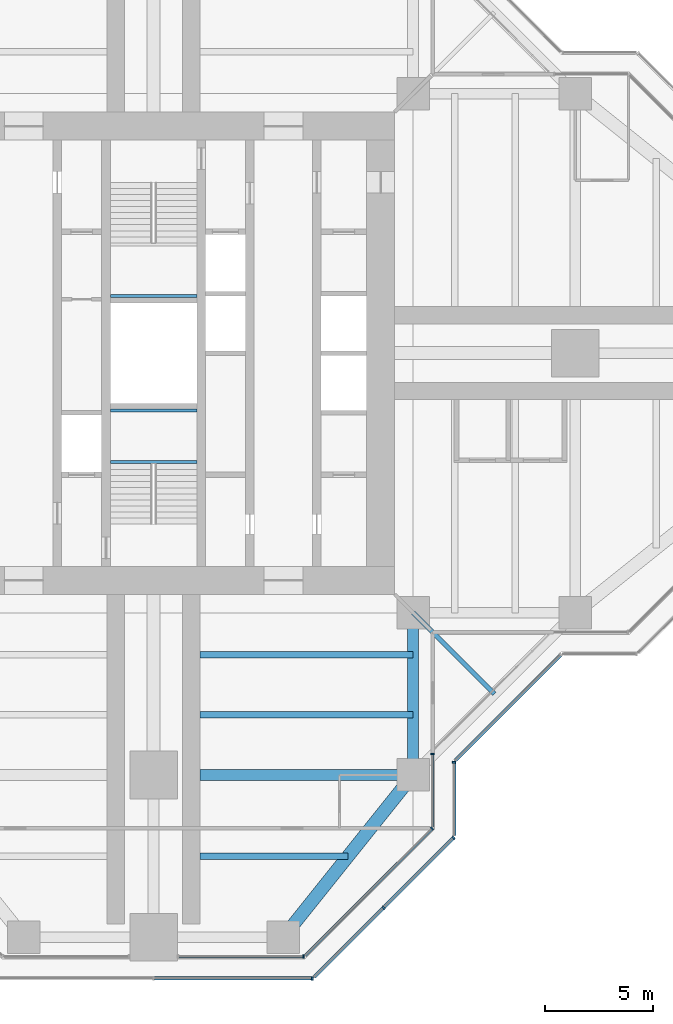
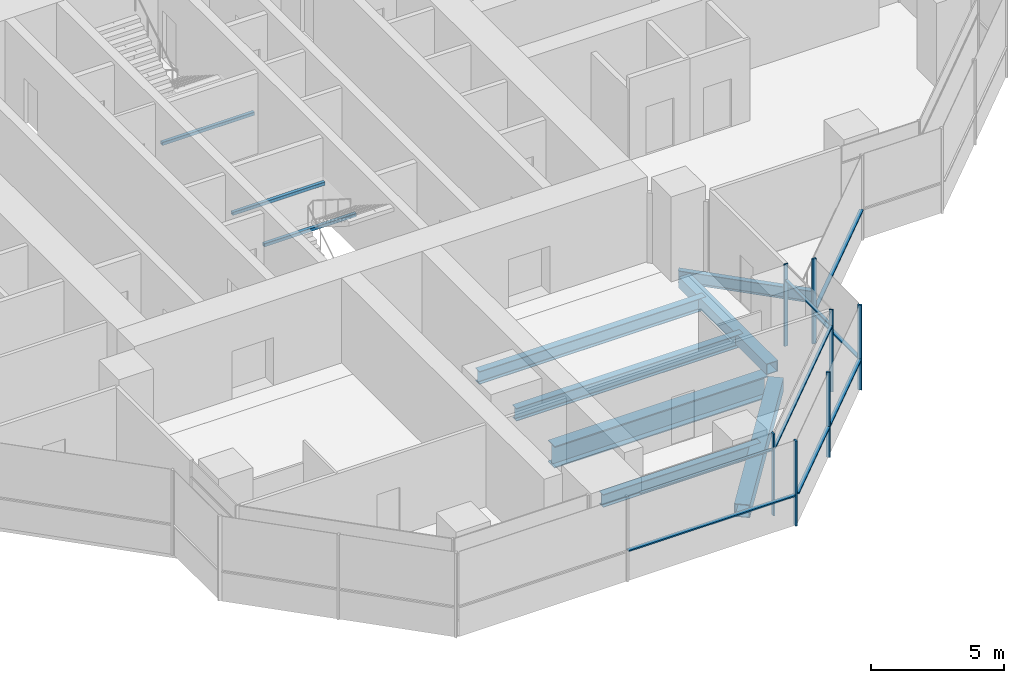
# One storey, part 4 of 17: 15 members, 10 beams, 7 elements without a shape of their own.
"""IFC4 building model written with IfcOpenShell, lengths in metres."""

from ifc_helpers import new_model, si_unit, direction, frame, origin, origin_2d, place, context, subcontext, project, spatial, rectangle, hollow_rectangle, i_section, extrude, material, material_profile, profile_set, type_object, element, aggregate, save


model = new_model("IFC4")

# Units and contexts
model_context = context("Model", 3, precision=1e-05, world=origin(), true_north=direction((0.0, 1.0)))
body_context = subcontext(model_context, "Body", "Model", "MODEL_VIEW")
ifc_project = project(units=[si_unit("LENGTHUNIT", "METRE"), si_unit("AREAUNIT", "SQUARE_METRE"), si_unit("VOLUMEUNIT", "CUBIC_METRE"), si_unit("PLANEANGLEUNIT", "RADIAN"), si_unit("MASSUNIT", "GRAM", prefix="KILO")], contexts=[model_context])

# Site, building, storey
site_placement = place(None, origin())
site = spatial("IfcSite", under=ifc_project, at=site_placement, CompositionType="ELEMENT")
building_placement = place(site_placement, origin())
building = spatial("IfcBuilding", under=site, at=building_placement, Name="Mizan Broadcast Tower", CompositionType="ELEMENT")
storey_placement = place(building_placement, frame((0.0, 0.0, 243.89990234375)))
storey = spatial("IfcBuildingStorey", under=building, at=storey_placement, Name="L57", CompositionType="ELEMENT", Elevation=243.89990234375)

# Beams
ifc_material_1 = material(Name="Steel S355", Category="steel")
ifc_material_profile_1 = material_profile(ifc_material_1, hollow_rectangle(XDim=0.5, YDim=0.5, WallThickness=0.030029296875, at=origin_2d()), Name="BOX 500x500x30")
ifc_profile_set_1 = profile_set([ifc_material_profile_1], Name="Steel S355")
beam_type_1 = type_object("IfcBeamType", Name="EDGE BEAM BOX 500x500x30", PredefinedType="SPANDREL", material=ifc_profile_set_1)
beam_1_placement = place(storey_placement, frame((12.0, -12.449951171875, -0.3798828125), z_axis=(0.0, -1.0, 0.0), x_axis=(1.0, 0.0, 0.0)))
element("IfcBeam", 1, at=beam_1_placement, inside=storey, type_object=beam_type_1, Name="Edge beam BOX 500x500x30 L57 south arm", PredefinedType="SPANDREL", context=body_context, shape_type="SweptSolid", body=[
    extrude(hollow_rectangle(XDim=0.5, YDim=0.5, WallThickness=0.030029296875, at=origin_2d()), origin(), (0.0, 0.0, 1.0), 6.60009765625),
])
ifc_material_2 = material(Name="Steel S355", Category="steel")
ifc_material_profile_2 = material_profile(ifc_material_2, hollow_rectangle(XDim=0.60009765625, YDim=0.60009765625, WallThickness=0.030029296875, at=origin_2d()), Name="BOX 600x600x30")
ifc_profile_set_2 = profile_set([ifc_material_profile_2], Name="Steel S355")
beam_type_2 = type_object("IfcBeamType", Name="EDGE BEAM BOX 600x600x30", PredefinedType="SPANDREL", material=ifc_profile_set_2)
beam_2_placement = place(storey_placement, frame((11.639892578125, -19.949951171875, -0.429931640625), z_axis=(-0.624673911726, -0.780885717636, 0.0), x_axis=(0.780885717636, -0.624673911726, 0.0)))
element("IfcBeam", 2, at=beam_2_placement, inside=storey, type_object=beam_type_2, Name="Edge beam BOX 600x600x30 L57 south arm", PredefinedType="SPANDREL", context=body_context, shape_type="SweptSolid", body=[
    extrude(hollow_rectangle(XDim=0.60009765625, YDim=0.60009765625, WallThickness=0.030029296875, at=origin_2d()), origin(), (0.0, 0.0, 1.0), 8.4521484375),
])
ifc_material_3 = material(Name="Steel S460", Category="steel")
ifc_material_profile_3 = material_profile(ifc_material_3, i_section(OverallWidth=0.5, OverallDepth=1.0, WebThickness=0.02490234375, FlangeThickness=0.050048828125, at=origin_2d()), Name="WPG 1000x500")
ifc_profile_set_3 = profile_set([ifc_material_profile_3], Name="Steel S460")
beam_type_3 = type_object("IfcBeamType", Name="GIRDER WPG 1000x500", PredefinedType="BEAM", material=ifc_profile_set_3)
beam_3_placement = place(storey_placement, frame((11.408935546875, -19.5, -0.6298828125), z_axis=(-1.0, 0.0, 0.0), x_axis=(0.0, -1.0, 0.0)))
element("IfcBeam", 3, at=beam_3_placement, inside=storey, type_object=beam_type_3, Name="Girder WPG 1000x500 L57 south arm", PredefinedType="BEAM", context=body_context, shape_type="SweptSolid", body=[
    extrude(i_section(OverallWidth=0.5, OverallDepth=1.0, WebThickness=0.02490234375, FlangeThickness=0.050048828125, at=origin_2d()), origin(), (0.0, 0.0, 1.0), 9.259033203125),
])

# Curtain wall, member
ifc_material_4 = material(Name="Aluminium framed glazing", Category="aluminium")
curtain_wall_type_1 = type_object("IfcCurtainWallType", Name="INNER SKIN HIGH ZONE", PredefinedType="USERDEFINED", material=ifc_material_4)
curtain_wall_1_placement = place(storey_placement, origin())
curtain_wall_1 = element("IfcCurtainWall", 4, at=curtain_wall_1_placement, inside=storey, type_object=curtain_wall_type_1, Name="Inner skin high zone L57 S end", ObjectType="INNER SKIN HIGH ZONE", PredefinedType="USERDEFINED")
ifc_material_5 = material(Name="Aluminium, pale anodised", Category="aluminium")
ifc_material_profile_4 = material_profile(ifc_material_5, rectangle(XDim=0.159912109375, YDim=0.06005859375, at=origin_2d()), Name="MULLION 160x60")
ifc_profile_set_4 = profile_set([ifc_material_profile_4], Name="Aluminium, pale anodised")
member_type_1 = type_object("IfcMemberType", Name="INNER SKIN MULLION 60x160", PredefinedType="MULLION", material=ifc_profile_set_4)
member_1_placement = place(storey_placement, frame((6.928466796875, -27.89990234375, 0.0), z_axis=(0.0, 0.0, 1.0), x_axis=(0.0, 1.0, 0.0)))
member_1 = element("IfcMember", 5, at=member_1_placement, type_object=member_type_1, Name="Inner skin high zone L57 S end mullion 2", PredefinedType="MULLION", context=body_context, shape_type="SweptSolid", body=[
    extrude(rectangle(XDim=0.159912109375, YDim=0.06005859375, at=origin_2d()), origin(), (0.0, 0.0, 1.0), 3.77001953125),
])

curtain_wall_2_placement = place(storey_placement, origin())
curtain_wall_2 = element("IfcCurtainWall", 6, at=curtain_wall_2_placement, inside=storey, type_object=curtain_wall_type_1, Name="Inner skin high zone L57 S chamfer", ObjectType="INNER SKIN HIGH ZONE", PredefinedType="USERDEFINED")
member_2_placement = place(storey_placement, frame((12.87890625, -21.979736328125, 0.0), z_axis=(0.0, 0.0, 1.0), x_axis=(-0.707106781187, 0.707106781187, 0.0)))
member_2 = element("IfcMember", 7, at=member_2_placement, type_object=member_type_1, Name="Inner skin high zone L57 S chamfer mullion 2", PredefinedType="MULLION", context=body_context, shape_type="SweptSolid", body=[
    extrude(rectangle(XDim=0.159912109375, YDim=0.06005859375, at=origin_2d()), origin(), (0.0, 0.0, 1.0), 3.77001953125),
])

curtain_wall_3_placement = place(storey_placement, origin())
curtain_wall_3 = element("IfcCurtainWall", 8, at=curtain_wall_3_placement, inside=storey, type_object=curtain_wall_type_1, Name="Inner skin high zone L57 S side", ObjectType="INNER SKIN HIGH ZONE", PredefinedType="USERDEFINED")
member_3_placement = place(storey_placement, frame((12.89990234375, -18.530029296875, 0.0), z_axis=(0.0, 0.0, 1.0), x_axis=(-1.0, 0.0, 0.0)))
member_3 = element("IfcMember", 9, at=member_3_placement, type_object=member_type_1, Name="Inner skin high zone L57 S side mullion 2", PredefinedType="MULLION", context=body_context, shape_type="SweptSolid", body=[
    extrude(rectangle(XDim=0.159912109375, YDim=0.06005859375, at=origin_2d()), origin(), (0.0, 0.0, 1.0), 3.77001953125),
])

# Member
ifc_material_6 = material(Name="Aluminium, pale anodised", Category="aluminium")
ifc_material_profile_5 = material_profile(ifc_material_6, rectangle(XDim=0.1201171875, YDim=0.06005859375, at=origin_2d()), Name="TRANSOM 120x60")
ifc_profile_set_5 = profile_set([ifc_material_profile_5], Name="Aluminium, pale anodised")
member_type_2 = type_object("IfcMemberType", Name="INNER SKIN TRANSOM 60x120", PredefinedType="USERDEFINED", material=ifc_profile_set_5)
member_4_placement = place(storey_placement, frame((1.159912109375, -27.89990234375, 3.030029296875), z_axis=(1.0, 0.0, 0.0), x_axis=(0.0, 1.0, 0.0)))
member_4 = element("IfcMember", 10, at=member_4_placement, type_object=member_type_2, Name="Inner skin high zone L57 S end transom 1.1", ObjectType="TRANSOM", PredefinedType="USERDEFINED", context=body_context, shape_type="SweptSolid", body=[
    extrude(rectangle(XDim=0.1201171875, YDim=0.06005859375, at=origin_2d()), origin(), (0.0, 0.0, 1.0), 5.73876953125),
])

aggregate(curtain_wall_1, [member_1, member_4])

member_5_placement = place(storey_placement, frame((7.0009765625, -27.857666015625, 3.030029296875), z_axis=(0.707106781187, 0.707106781187, 0.0), x_axis=(-0.707106781187, 0.707106781187, 0.0)))
member_5 = element("IfcMember", 11, at=member_5_placement, type_object=member_type_2, Name="Inner skin high zone L57 S chamfer transom 1.1", ObjectType="TRANSOM", PredefinedType="USERDEFINED", context=body_context, shape_type="SweptSolid", body=[
    extrude(rectangle(XDim=0.1201171875, YDim=0.06005859375, at=origin_2d()), origin(), (0.0, 0.0, 1.0), 8.28271484375),
])

aggregate(curtain_wall_2, [member_2, member_5])

member_6_placement = place(storey_placement, frame((12.89990234375, -21.898681640625, 3.030029296875), z_axis=(0.0, 1.0, 0.0), x_axis=(-1.0, 0.0, 0.0)))
member_6 = element("IfcMember", 12, at=member_6_placement, type_object=member_type_2, Name="Inner skin high zone L57 S side transom 1.1", ObjectType="TRANSOM", PredefinedType="USERDEFINED", context=body_context, shape_type="SweptSolid", body=[
    extrude(rectangle(XDim=0.1201171875, YDim=0.06005859375, at=origin_2d()), origin(), (0.0, 0.0, 1.0), 3.338623046875),
])

aggregate(curtain_wall_3, [member_3, member_6])

# Beams
ifc_material_7 = material(Name="Steel S355", Category="steel")
ifc_material_profile_6 = material_profile(ifc_material_7, hollow_rectangle(XDim=0.14990234375, YDim=0.14990234375, WallThickness=0.008056640625, InnerFilletRadius=0.008056640625, OuterFilletRadius=0.011962890625, at=origin_2d()), Name="SHS 150x150x8")
ifc_profile_set_6 = profile_set([ifc_material_profile_6], Name="Steel S355")
beam_type_4 = type_object("IfcBeamType", Name="LANDING TRIMMER SHS 150x150x8", PredefinedType="BEAM", material=ifc_profile_set_6)
for number, where, z_axis, x_axis, name in (
    (13, (-2.0, -5.02490234375, 1.675048828125), (1.0, 0.0, 0.0), (0.0, 1.0, 0.0), "Stair A landing trimmer L57"),
    (14, (-2.0, -2.64990234375, 1.675048828125), (1.0, 0.0, 0.0), (0.0, 1.0, 0.0), "Stair A landing trimmer L57"),
    (15, (2.0, 2.64990234375, 1.675048828125), (-1.0, 0.0, 0.0), (0.0, -1.0, 0.0), "Stair B landing trimmer L57"),
):
    element("IfcBeam", number, at=place(storey_placement, frame(where, z_axis=z_axis, x_axis=x_axis)), inside=storey, type_object=beam_type_4, Name=name, PredefinedType="BEAM", context=body_context, shape_type="SweptSolid", body=[
        extrude(hollow_rectangle(XDim=0.14990234375, YDim=0.14990234375, WallThickness=0.008056640625, InnerFilletRadius=0.008056640625, OuterFilletRadius=0.011962890625, at=origin_2d()), origin(), (0.0, 0.0, 1.0), 4.0),
    ])

# Curtain wall, member
ifc_material_8 = material(Name="Aluminium framed glazing", Category="aluminium")
curtain_wall_type_2 = type_object("IfcCurtainWallType", Name="OUTER SKIN", PredefinedType="USERDEFINED", material=ifc_material_8)
curtain_wall_4_placement = place(storey_placement, origin())
curtain_wall_4 = element("IfcCurtainWall", 16, at=curtain_wall_4_placement, inside=storey, type_object=curtain_wall_type_2, Name="Outer skin L57 S end", ObjectType="OUTER SKIN", PredefinedType="USERDEFINED")
ifc_material_9 = material(Name="Aluminium, pale anodised", Category="aluminium")
ifc_material_profile_7 = material_profile(ifc_material_9, rectangle(XDim=0.159912109375, YDim=0.080078125, at=origin_2d()), Name="MULLION 160x80")
ifc_profile_set_7 = profile_set([ifc_material_profile_7], Name="Aluminium, pale anodised")
member_type_3 = type_object("IfcMemberType", Name="OUTER SKIN MULLION 80x160", PredefinedType="MULLION", material=ifc_profile_set_7)
member_7_placement = place(storey_placement, frame((7.332763671875, -28.89990234375, 0.0), z_axis=(0.0, 0.0, 1.0), x_axis=(0.0, 1.0, 0.0)))
member_7 = element("IfcMember", 17, at=member_7_placement, type_object=member_type_3, Name="Outer skin L57 S end mullion 3", PredefinedType="MULLION", context=body_context, shape_type="SweptSolid", body=[
    extrude(rectangle(XDim=0.159912109375, YDim=0.080078125, at=origin_2d()), origin(), (0.0, 0.0, 1.0), 3.900146484375),
])

# Curtain wall, members
curtain_wall_5_placement = place(storey_placement, origin())
curtain_wall_5 = element("IfcCurtainWall", 18, at=curtain_wall_5_placement, inside=storey, type_object=curtain_wall_type_2, Name="Outer skin L57 S chamfer", ObjectType="OUTER SKIN", PredefinedType="USERDEFINED")
member_8_placement = place(storey_placement, frame((10.636474609375, -25.636474609375, 0.0), z_axis=(0.0, 0.0, 1.0), x_axis=(-0.707106781187, 0.707106781187, 0.0)))
member_8 = element("IfcMember", 19, at=member_8_placement, type_object=member_type_3, Name="Outer skin L57 S chamfer mullion 2", PredefinedType="MULLION", context=body_context, shape_type="SweptSolid", body=[
    extrude(rectangle(XDim=0.159912109375, YDim=0.080078125, at=origin_2d()), origin(), (0.0, 0.0, 1.0), 3.900146484375),
])
member_9_placement = place(storey_placement, frame((13.871826171875, -22.401123046875, 0.0), z_axis=(0.0, 0.0, 1.0), x_axis=(-0.707106781187, 0.707106781187, 0.0)))
member_9 = element("IfcMember", 20, at=member_9_placement, type_object=member_type_3, Name="Outer skin L57 S chamfer mullion 3", PredefinedType="MULLION", context=body_context, shape_type="SweptSolid", body=[
    extrude(rectangle(XDim=0.159912109375, YDim=0.080078125, at=origin_2d()), origin(), (0.0, 0.0, 1.0), 3.900146484375),
])

# Curtain wall, member
curtain_wall_6_placement = place(storey_placement, origin())
curtain_wall_6 = element("IfcCurtainWall", 21, at=curtain_wall_6_placement, inside=storey, type_object=curtain_wall_type_2, Name="Outer skin L57 S side", ObjectType="OUTER SKIN", PredefinedType="USERDEFINED")
member_10_placement = place(storey_placement, frame((13.89990234375, -18.912841796875, 0.0), z_axis=(0.0, 0.0, 1.0), x_axis=(-1.0, 0.0, 0.0)))
member_10 = element("IfcMember", 22, at=member_10_placement, type_object=member_type_3, Name="Outer skin L57 S side mullion 2", PredefinedType="MULLION", context=body_context, shape_type="SweptSolid", body=[
    extrude(rectangle(XDim=0.159912109375, YDim=0.080078125, at=origin_2d()), origin(), (0.0, 0.0, 1.0), 3.900146484375),
])

# Member
ifc_material_10 = material(Name="Aluminium, pale anodised", Category="aluminium")
ifc_material_profile_8 = material_profile(ifc_material_10, rectangle(XDim=0.159912109375, YDim=0.06005859375, at=origin_2d()), Name="TRANSOM 160x60")
ifc_profile_set_8 = profile_set([ifc_material_profile_8], Name="Aluminium, pale anodised")
member_type_4 = type_object("IfcMemberType", Name="OUTER SKIN TRANSOM 60x160", PredefinedType="USERDEFINED", material=ifc_profile_set_8)
member_11_placement = place(storey_placement, frame((0.0400390625, -28.89990234375, 1.400146484375), z_axis=(1.0, 0.0, 0.0), x_axis=(0.0, 1.0, 0.0)))
member_11 = element("IfcMember", 23, at=member_11_placement, type_object=member_type_4, Name="Outer skin L57 S end transom 2.1", ObjectType="TRANSOM", PredefinedType="USERDEFINED", context=body_context, shape_type="SweptSolid", body=[
    extrude(rectangle(XDim=0.159912109375, YDim=0.06005859375, at=origin_2d()), origin(), (0.0, 0.0, 1.0), 7.252685546875),
])

aggregate(curtain_wall_4, [member_7, member_11])

member_12_placement = place(storey_placement, frame((7.429443359375, -28.843505859375, 1.400146484375), z_axis=(0.707106781187, 0.707106781187, 0.0), x_axis=(-0.707106781187, 0.707106781187, 0.0)))
member_12 = element("IfcMember", 24, at=member_12_placement, type_object=member_type_4, Name="Outer skin L57 S chamfer transom 1.1", ObjectType="TRANSOM", PredefinedType="USERDEFINED", context=body_context, shape_type="SweptSolid", body=[
    extrude(rectangle(XDim=0.159912109375, YDim=0.06005859375, at=origin_2d()), origin(), (0.0, 0.0, 1.0), 4.495361328125),
])

member_13_placement = place(storey_placement, frame((10.664794921875, -25.608154296875, 1.400146484375), z_axis=(0.707106781187, 0.707106781187, 0.0), x_axis=(-0.707106781187, 0.707106781187, 0.0)))
member_13 = element("IfcMember", 25, at=member_13_placement, type_object=member_type_4, Name="Outer skin L57 S chamfer transom 2.1", ObjectType="TRANSOM", PredefinedType="USERDEFINED", context=body_context, shape_type="SweptSolid", body=[
    extrude(rectangle(XDim=0.159912109375, YDim=0.06005859375, at=origin_2d()), origin(), (0.0, 0.0, 1.0), 4.495361328125),
])

aggregate(curtain_wall_5, [member_8, member_9, member_12, member_13])

member_14_placement = place(storey_placement, frame((13.89990234375, -22.292724609375, 1.400146484375), z_axis=(0.0, 1.0, 0.0), x_axis=(-1.0, 0.0, 0.0)))
member_14 = element("IfcMember", 26, at=member_14_placement, type_object=member_type_4, Name="Outer skin L57 S side transom 1.1", ObjectType="TRANSOM", PredefinedType="USERDEFINED", context=body_context, shape_type="SweptSolid", body=[
    extrude(rectangle(XDim=0.159912109375, YDim=0.06005859375, at=origin_2d()), origin(), (0.0, 0.0, 1.0), 3.33984375),
])

aggregate(curtain_wall_6, [member_10, member_14])

# Curtain wall, member
curtain_wall_7_placement = place(storey_placement, origin())
curtain_wall_7 = element("IfcCurtainWall", 27, at=curtain_wall_7_placement, inside=storey, type_object=curtain_wall_type_2, Name="Outer skin L57 E chamfer", ObjectType="OUTER SKIN", PredefinedType="USERDEFINED")
member_15_placement = place(storey_placement, frame((13.95654296875, -18.816162109375, 1.400146484375), z_axis=(0.707106781187, 0.707106781187, 0.0), x_axis=(-0.707106781187, 0.707106781187, 0.0)))
member_15 = element("IfcMember", 28, at=member_15_placement, type_object=member_type_4, Name="Outer skin L57 E chamfer transom 1.1", ObjectType="TRANSOM", PredefinedType="USERDEFINED", context=body_context, shape_type="SweptSolid", body=[
    extrude(rectangle(XDim=0.159912109375, YDim=0.06005859375, at=origin_2d()), origin(), (0.0, 0.0, 1.0), 6.87255859375),
])
aggregate(curtain_wall_7, [member_15])

# Beams
ifc_material_11 = material(Name="Steel S355", Category="steel")
ifc_material_profile_9 = material_profile(ifc_material_11, i_section(OverallWidth=0.300048828125, OverallDepth=0.590087890625, WebThickness=0.012939453125, FlangeThickness=0.02490234375, FilletRadius=0.027099609375, at=origin_2d()), Name="HEA 600")
ifc_profile_set_9 = profile_set([ifc_material_profile_9], Name="Steel S355")
beam_type_5 = type_object("IfcBeamType", Name="SECONDARY BEAM HEA 600", PredefinedType="JOIST", material=ifc_profile_set_9)
for number, where, z_axis, x_axis, name in (
    (29, (12.0, -13.933349609375, -0.4248046875), (-1.0, 0.0, 0.0), (0.0, -1.0, 0.0), "Secondary beam HEA 600 L57 south arm"),
    (30, (12.0, -16.716552734375, -0.4248046875), (-1.0, 0.0, 0.0), (0.0, -1.0, 0.0), "Secondary beam HEA 600 L57 south arm"),
):
    element("IfcBeam", number, at=place(storey_placement, frame(where, z_axis=z_axis, x_axis=x_axis)), inside=storey, type_object=beam_type_5, Name=name, PredefinedType="JOIST", context=body_context, shape_type="SweptSolid", body=[
        extrude(i_section(OverallWidth=0.300048828125, OverallDepth=0.590087890625, WebThickness=0.012939453125, FlangeThickness=0.02490234375, FilletRadius=0.027099609375, at=origin_2d()), origin(), (0.0, 0.0, 1.0), 9.85009765625),
    ])
beam_4_placement = place(storey_placement, frame((9.0, -23.25, -0.4248046875), z_axis=(-1.0, 0.0, 0.0), x_axis=(0.0, -1.0, 0.0)))
element("IfcBeam", 31, at=beam_4_placement, inside=storey, type_object=beam_type_5, Name="Secondary beam HEA 600 L57 south arm", PredefinedType="JOIST", context=body_context, shape_type="SweptSolid", body=[
    extrude(i_section(OverallWidth=0.300048828125, OverallDepth=0.590087890625, WebThickness=0.012939453125, FlangeThickness=0.02490234375, FilletRadius=0.027099609375, at=origin_2d()), origin(), (0.0, 0.0, 1.0), 6.85009765625),
])
ifc_material_12 = material(Name="Steel S355", Category="steel")
ifc_material_profile_10 = material_profile(ifc_material_12, i_section(OverallWidth=0.2099609375, OverallDepth=0.550048828125, WebThickness=0.010986328125, FlangeThickness=0.01708984375, FilletRadius=0.02392578125, at=origin_2d()), Name="IPE 550")
ifc_profile_set_10 = profile_set([ifc_material_profile_10], Name="Steel S355")
beam_type_6 = type_object("IfcBeamType", Name="SECONDARY BEAM IPE 550", PredefinedType="JOIST", material=ifc_profile_set_10)
beam_5_placement = place(storey_placement, frame((12.0, -12.0, -0.40478515625), z_axis=(0.707106781187, -0.707106781187, 0.0), x_axis=(0.707106781187, 0.707106781187, 0.0)))
element("IfcBeam", 32, at=beam_5_placement, inside=storey, type_object=beam_type_6, Name="Winter garden beam L57 S", PredefinedType="JOIST", context=body_context, shape_type="SweptSolid", body=[
    extrude(i_section(OverallWidth=0.2099609375, OverallDepth=0.550048828125, WebThickness=0.010986328125, FlangeThickness=0.01708984375, FilletRadius=0.02392578125, at=origin_2d()), origin(), (0.0, 0.0, 1.0), 5.30322265625),
])

save(model, "model.ifc")
